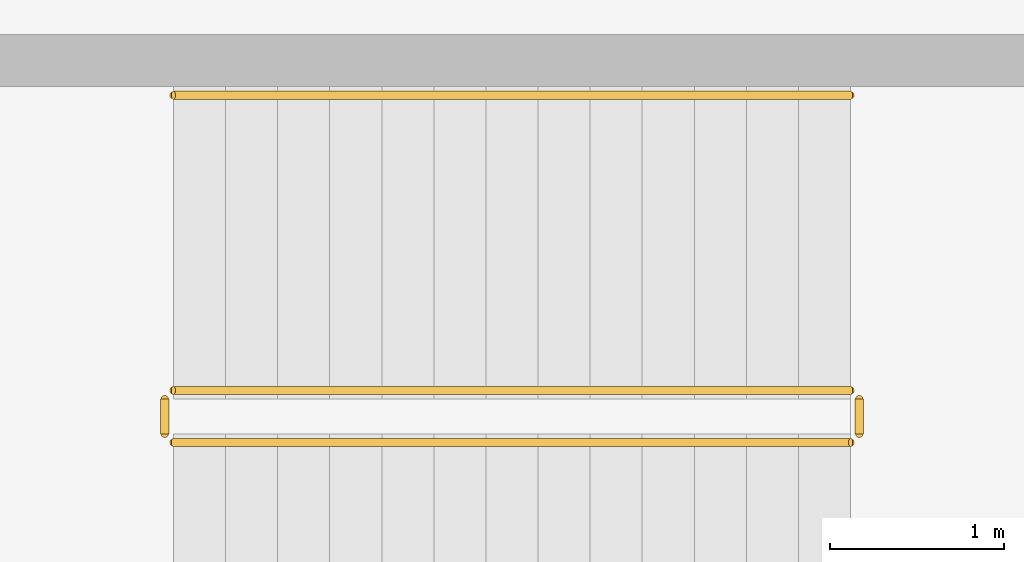
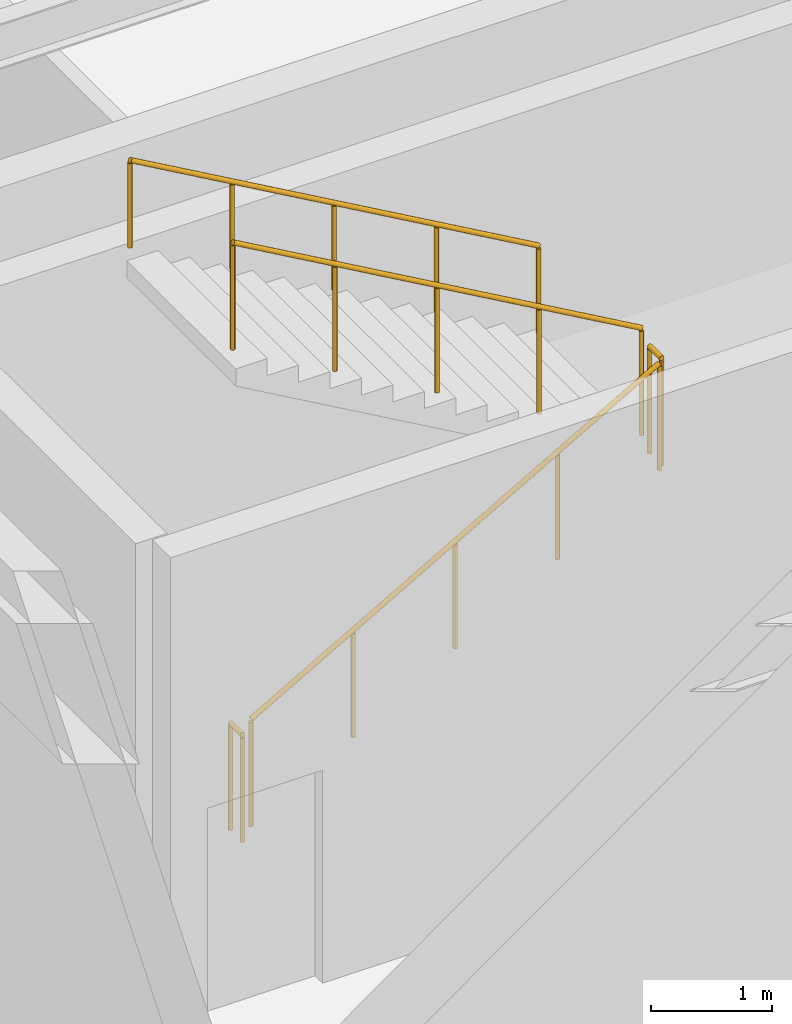
# One storey, part 193 of 199: 5 railings.
"""IFC4 building model written with IfcOpenShell, lengths in metres."""

from ifc_helpers import new_model, si_unit, direction, frame, origin, origin_2d, place, context, subcontext, project, spatial, circle, extrude, material, type_object, element, save


model = new_model("IFC4")

# Units and contexts
model_context = context("Model", 3, precision=1e-05, world=origin(), true_north=direction((0.0, 1.0)))
body_context = subcontext(model_context, "Body", "Model", "MODEL_VIEW")
ifc_project = project(units=[si_unit("LENGTHUNIT", "METRE"), si_unit("AREAUNIT", "SQUARE_METRE"), si_unit("VOLUMEUNIT", "CUBIC_METRE"), si_unit("PLANEANGLEUNIT", "RADIAN"), si_unit("MASSUNIT", "GRAM", prefix="KILO")], contexts=[model_context])

# Site, building, storey
site_placement = place(None, origin())
site = spatial("IfcSite", under=ifc_project, at=site_placement, CompositionType="ELEMENT")
building_placement = place(site_placement, origin())
building = spatial("IfcBuilding", under=site, at=building_placement, Name="Tarnwether General Hospital", CompositionType="ELEMENT")
storey_placement = place(building_placement, origin())
storey = spatial("IfcBuildingStorey", under=building, at=storey_placement, Name="L00", CompositionType="ELEMENT", Elevation=0.0)

# Railings
ifc_material_1 = material(Name="Anodised aluminium", Category="aluminium")
railing_type_1 = type_object("IfcRailingType", Name="RL-GRD-INT", PredefinedType="GUARDRAIL", material=ifc_material_1)
railing_1_placement = place(storey_placement, frame((159.0, 98.550048828125, 0.17138671875)))
element("IfcRailing", 1, at=railing_1_placement, inside=storey, type_object=railing_type_1, Name="L00 ST-06 stair guard 1", PredefinedType="GUARDRAIL", context=body_context, shape_type="SweptSolid", body=[
    extrude(circle(Radius=0.02392578125, at=origin_2d()), frame((0.0, 0.0, 1.076171875), z_axis=(0.868243142124, 0.0, 0.496138938357), x_axis=(0.0, 1.0, 0.0)), (0.0, 0.0, 1.0), 4.49169921875),
    extrude(circle(Radius=0.02099609375, at=origin_2d()), origin(), (0.0, 0.0, 1.0), 1.052001953125),
    extrude(circle(Radius=0.02099609375, at=origin_2d()), frame((0.97509765625, 0.0, 0.55712890625)), (0.0, 0.0, 1.0), 1.052001953125),
    extrude(circle(Radius=0.02099609375, at=origin_2d()), frame((1.949951171875, 0.0, 1.1142578125)), (0.0, 0.0, 1.0), 1.052001953125),
    extrude(circle(Radius=0.02099609375, at=origin_2d()), frame((2.9248046875, 0.0, 1.67138671875)), (0.0, 0.0, 1.0), 1.052001953125),
    extrude(circle(Radius=0.02099609375, at=origin_2d()), frame((3.89990234375, 0.0, 2.228515625)), (0.0, 0.0, 1.0), 1.052001953125),
])
railing_2_placement = place(storey_placement, frame((162.949951171875, 98.60009765625, 2.39990234375)))
element("IfcRailing", 2, at=railing_2_placement, inside=storey, type_object=railing_type_1, Name="L00 ST-06 stair guard 2", PredefinedType="GUARDRAIL", context=body_context, shape_type="SweptSolid", body=[
    extrude(circle(Radius=0.02392578125, at=origin_2d()), frame((0.0, 0.0, 1.076171875), z_axis=(0.0, 1.0, 0.0), x_axis=(-1.0, 0.0, 0.0)), (0.0, 0.0, 1.0), 0.199951171875),
    extrude(circle(Radius=0.02099609375, at=origin_2d()), origin(), (0.0, 0.0, 1.0), 1.052001953125),
    extrude(circle(Radius=0.02099609375, at=origin_2d()), frame((0.0, 0.199951171875, 0.0)), (0.0, 0.0, 1.0), 1.052001953125),
])
railing_3_placement = place(storey_placement, frame((162.89990234375, 98.85009765625, 2.571533203125)))
element("IfcRailing", 3, at=railing_3_placement, inside=storey, type_object=railing_type_1, Name="L00 ST-06 stair guard 3", PredefinedType="GUARDRAIL", context=body_context, shape_type="SweptSolid", body=[
    extrude(circle(Radius=0.02392578125, at=origin_2d()), frame((0.0, 0.0, 1.076171875), z_axis=(-0.868243142124, 0.0, 0.496138938357), x_axis=(0.0, -1.0, 0.0)), (0.0, 0.0, 1.0), 4.49169921875),
    extrude(circle(Radius=0.02099609375, at=origin_2d()), origin(), (0.0, 0.0, 1.0), 1.052001953125),
    extrude(circle(Radius=0.02099609375, at=origin_2d()), frame((-0.97509765625, 0.0, 0.55712890625)), (0.0, 0.0, 1.0), 1.052001953125),
    extrude(circle(Radius=0.02099609375, at=origin_2d()), frame((-1.949951171875, 0.0, 1.1142578125)), (0.0, 0.0, 1.0), 1.052001953125),
    extrude(circle(Radius=0.02099609375, at=origin_2d()), frame((-2.9248046875, 0.0, 1.67138671875)), (0.0, 0.0, 1.0), 1.052001953125),
    extrude(circle(Radius=0.02099609375, at=origin_2d()), frame((-3.89990234375, 0.0, 2.228515625)), (0.0, 0.0, 1.0), 1.052001953125),
])
railing_4_placement = place(storey_placement, frame((158.949951171875, 98.60009765625, 0.0)))
element("IfcRailing", 4, at=railing_4_placement, inside=storey, type_object=railing_type_1, Name="L00 ST-06 stair guard 4", PredefinedType="GUARDRAIL", context=body_context, shape_type="SweptSolid", body=[
    extrude(circle(Radius=0.02392578125, at=origin_2d()), frame((0.0, 0.0, 1.076171875), z_axis=(0.0, 1.0, 0.0), x_axis=(-1.0, 0.0, 0.0)), (0.0, 0.0, 1.0), 0.199951171875),
    extrude(circle(Radius=0.02099609375, at=origin_2d()), origin(), (0.0, 0.0, 1.0), 1.052001953125),
    extrude(circle(Radius=0.02099609375, at=origin_2d()), frame((0.0, 0.199951171875, 0.0)), (0.0, 0.0, 1.0), 1.052001953125),
])
ifc_material_2 = material(Name="Anodised aluminium", Category="aluminium")
railing_type_2 = type_object("IfcRailingType", Name="RL-HND-INT", PredefinedType="HANDRAIL", material=ifc_material_2)
railing_5_placement = place(storey_placement, frame((162.89990234375, 100.550048828125, 2.571533203125)))
element("IfcRailing", 5, at=railing_5_placement, inside=storey, type_object=railing_type_2, Name="L00 ST-06 stair handrail 2", PredefinedType="HANDRAIL", context=body_context, shape_type="SweptSolid", body=[
    extrude(circle(Radius=0.02392578125, at=origin_2d()), frame((0.0, 0.0, 0.8759765625), z_axis=(-0.868243142124, 0.0, 0.496138938357), x_axis=(0.0, -1.0, 0.0)), (0.0, 0.0, 1.0), 4.49169921875),
    extrude(circle(Radius=0.02099609375, at=origin_2d()), origin(), (0.0, 0.0, 1.0), 0.851806640625),
    extrude(circle(Radius=0.02099609375, at=origin_2d()), frame((-0.97509765625, 0.0, 0.55712890625)), (0.0, 0.0, 1.0), 0.851806640625),
    extrude(circle(Radius=0.02099609375, at=origin_2d()), frame((-1.949951171875, 0.0, 1.1142578125)), (0.0, 0.0, 1.0), 0.851806640625),
    extrude(circle(Radius=0.02099609375, at=origin_2d()), frame((-2.9248046875, 0.0, 1.67138671875)), (0.0, 0.0, 1.0), 0.851806640625),
    extrude(circle(Radius=0.02099609375, at=origin_2d()), frame((-3.89990234375, 0.0, 2.228515625)), (0.0, 0.0, 1.0), 0.851806640625),
])

save(model, "model.ifc")
